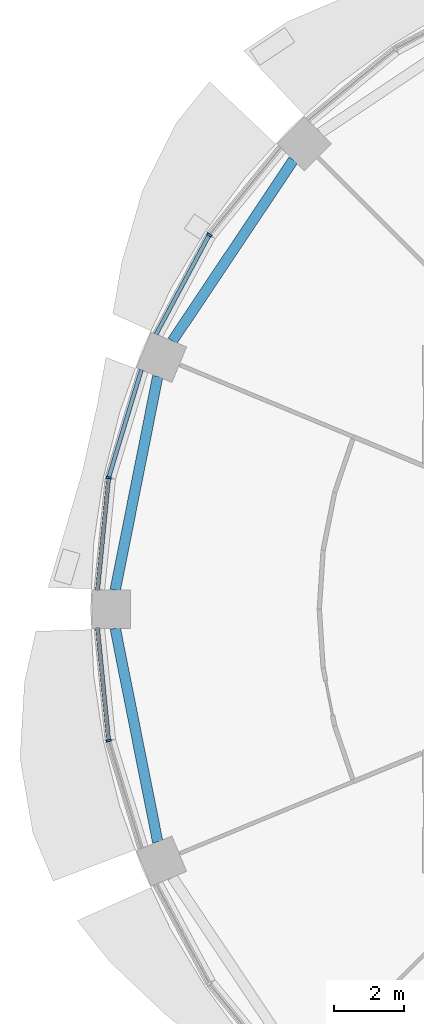
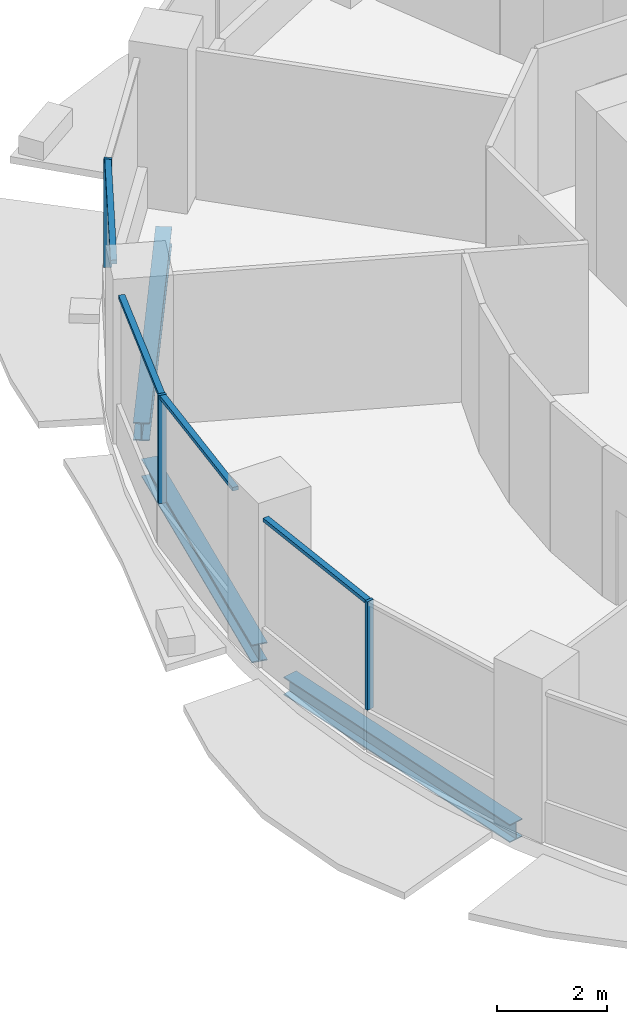
# One storey, part 4 of 15: 7 members, 3 beams, 3 elements without a shape of their own.
"""IFC4 building model written with IfcOpenShell, lengths in metres."""

from ifc_helpers import new_model, si_unit, direction, frame, origin, origin_2d, place, context, subcontext, project, spatial, rectangle, i_section, extrude, material, material_profile, profile_set, type_object, element, aggregate, save


model = new_model("IFC4")

# Units and contexts
model_context = context("Model", 3, precision=1e-05, world=origin(), true_north=direction((0.0, 1.0)))
body_context = subcontext(model_context, "Body", "Model", "MODEL_VIEW")
ifc_project = project(units=[si_unit("LENGTHUNIT", "METRE"), si_unit("AREAUNIT", "SQUARE_METRE"), si_unit("VOLUMEUNIT", "CUBIC_METRE"), si_unit("PLANEANGLEUNIT", "RADIAN"), si_unit("MASSUNIT", "GRAM", prefix="KILO")], contexts=[model_context])

# Site, building, storey
site_placement = place(None, origin())
site = spatial("IfcSite", under=ifc_project, at=site_placement, CompositionType="ELEMENT")
building_placement = place(site_placement, origin())
building = spatial("IfcBuilding", under=site, at=building_placement, Name="Polderwave Tower", CompositionType="ELEMENT")
storey_placement = place(building_placement, frame((0.0, 0.0, 76.39990234375)))
storey = spatial("IfcBuildingStorey", under=building, at=storey_placement, Name="L19", CompositionType="ELEMENT", Elevation=76.39990234375)

# Curtain wall, member
ifc_material_1 = material(Name="Aluminium 6063-T6 and glass", Category="aluminium")
curtain_wall_type = type_object("IfcCurtainWallType", Name="Growing floor ribbon glazing wall", PredefinedType="NOTDEFINED", material=ifc_material_1)
curtain_wall_1_placement = place(storey_placement, origin())
curtain_wall_1 = element("IfcCurtainWall", 1, at=curtain_wall_1_placement, inside=storey, type_object=curtain_wall_type, Name="CW2 L19 06", PredefinedType="NOTDEFINED")
ifc_material_2 = material(Name="Aluminium 6063-T6", Category="aluminium")
ifc_material_profile_1 = material_profile(ifc_material_2, rectangle(XDim=0.14990234375, YDim=0.06005859375, at=origin_2d()), Name="AL 60x150")
ifc_profile_set_1 = profile_set([ifc_material_profile_1], Name="Aluminium 6063-T6")
member_type_1 = type_object("IfcMemberType", Name="Growing floor ribbon glazing mullion 60x150", PredefinedType="MULLION", material=ifc_profile_set_1)
member_1_placement = place(storey_placement, frame((-16.0390625, 10.717041015625, 0.900146484375), z_axis=(0.0, 0.0, 1.0), x_axis=(0.831519061311, -0.555496220219, 0.0)))
member_1 = element("IfcMember", 2, at=member_1_placement, type_object=member_type_1, Name="CW2 mullion 1", PredefinedType="MULLION", context=body_context, shape_type="SweptSolid", body=[
    extrude(rectangle(XDim=0.14990234375, YDim=0.06005859375, at=origin_2d()), origin(), (0.0, 0.0, 1.0), 2.39990234375),
])

curtain_wall_2_placement = place(storey_placement, origin())
curtain_wall_2 = element("IfcCurtainWall", 3, at=curtain_wall_2_placement, inside=storey, type_object=curtain_wall_type, Name="CW2 L19 07", PredefinedType="NOTDEFINED")
member_2_placement = place(storey_placement, frame((-18.9189453125, 3.762939453125, 0.900146484375), z_axis=(0.0, 0.0, 1.0), x_axis=(0.980778810424, -0.19512284598, 0.0)))
member_2 = element("IfcMember", 4, at=member_2_placement, type_object=member_type_1, Name="CW2 mullion 1", PredefinedType="MULLION", context=body_context, shape_type="SweptSolid", body=[
    extrude(rectangle(XDim=0.14990234375, YDim=0.06005859375, at=origin_2d()), origin(), (0.0, 0.0, 1.0), 2.39990234375),
])

curtain_wall_3_placement = place(storey_placement, origin())
curtain_wall_3 = element("IfcCurtainWall", 5, at=curtain_wall_3_placement, inside=storey, type_object=curtain_wall_type, Name="CW2 L19 08", PredefinedType="NOTDEFINED")
member_3_placement = place(storey_placement, frame((-18.9189453125, -3.762939453125, 0.900146484375), z_axis=(0.0, 0.0, 1.0), x_axis=(0.980778810424, 0.19512284598, 0.0)))
member_3 = element("IfcMember", 6, at=member_3_placement, type_object=member_type_1, Name="CW2 mullion 1", PredefinedType="MULLION", context=body_context, shape_type="SweptSolid", body=[
    extrude(rectangle(XDim=0.14990234375, YDim=0.06005859375, at=origin_2d()), origin(), (0.0, 0.0, 1.0), 2.39990234375),
])

# Member
ifc_material_profile_2 = material_profile(ifc_material_2, rectangle(XDim=0.1201171875, YDim=0.080078125, at=origin_2d()), Name="AL 80x120")
ifc_profile_set_2 = profile_set([ifc_material_profile_2], Name="Aluminium 6063-T6")
member_type_2 = type_object("IfcMemberType", Name="Growing floor ribbon glazing transom 80x120", PredefinedType="USERDEFINED", material=ifc_profile_set_2)
member_4_placement = place(storey_placement, frame((-16.052978515625, 10.6904296875, 3.260009765625), z_axis=(-0.471376247819, -0.881932215645, 0.0), x_axis=(0.881932215645, -0.471376247819, 0.0)))
member_4 = element("IfcMember", 7, at=member_4_placement, type_object=member_type_2, Name="CW2 transom 2", ObjectType="TRANSOM", PredefinedType="USERDEFINED", context=body_context, shape_type="SweptSolid", body=[
    extrude(rectangle(XDim=0.1201171875, YDim=0.080078125, at=origin_2d()), origin(), (0.0, 0.0, 1.0), 3.19921875),
])

aggregate(curtain_wall_1, [member_1, member_4])

member_5_placement = place(storey_placement, frame((-17.98193359375, 6.85302734375, 3.260009765625), z_axis=(-0.290238267171, -0.956954412848, 0.0), x_axis=(0.956954412848, -0.290238267171, 0.0)))
member_5 = element("IfcMember", 8, at=member_5_placement, type_object=member_type_2, Name="CW2 transom 1", ObjectType="TRANSOM", PredefinedType="USERDEFINED", context=body_context, shape_type="SweptSolid", body=[
    extrude(rectangle(XDim=0.1201171875, YDim=0.080078125, at=origin_2d()), origin(), (0.0, 0.0, 1.0), 3.198974609375),
])

member_6_placement = place(storey_placement, frame((-18.921875, 3.733154296875, 3.260009765625), z_axis=(-0.098234025198, -0.995163341514, 0.0), x_axis=(0.995163341514, -0.098234025198, 0.0)))
member_6 = element("IfcMember", 9, at=member_6_placement, type_object=member_type_2, Name="CW2 transom 2", ObjectType="TRANSOM", PredefinedType="USERDEFINED", context=body_context, shape_type="SweptSolid", body=[
    extrude(rectangle(XDim=0.1201171875, YDim=0.080078125, at=origin_2d()), origin(), (0.0, 0.0, 1.0), 3.198486328125),
])

aggregate(curtain_wall_2, [member_2, member_5, member_6])

member_7_placement = place(storey_placement, frame((-19.236083984375, -0.550048828125, 3.260009765625), z_axis=(0.098234025198, -0.995163341514, 0.0), x_axis=(0.995163341514, 0.098234025198, 0.0)))
member_7 = element("IfcMember", 10, at=member_7_placement, type_object=member_type_2, Name="CW2 transom 1", ObjectType="TRANSOM", PredefinedType="USERDEFINED", context=body_context, shape_type="SweptSolid", body=[
    extrude(rectangle(XDim=0.1201171875, YDim=0.080078125, at=origin_2d()), origin(), (0.0, 0.0, 1.0), 3.198486328125),
])

aggregate(curtain_wall_3, [member_3, member_7])

# Beams
ifc_material_3 = material(Name="Steel S355", Category="steel")
ifc_material_profile_3 = material_profile(ifc_material_3, i_section(OverallWidth=0.300048828125, OverallDepth=0.39990234375, WebThickness=0.013427734375, FlangeThickness=0.02392578125, at=origin_2d()), Name="HE 400 B")
ifc_profile_set_3 = profile_set([ifc_material_profile_3], Name="Steel S355")
beam_type = type_object("IfcBeamType", Name="RING BEAM HE 400 B", PredefinedType="BEAM", material=ifc_profile_set_3)
beam_placement = place(storey_placement, frame((-13.633544921875, 12.855712890625, -0.5498046875), z_axis=(-0.555541024975, -0.831489127752, 0.0), x_axis=(0.831489127752, -0.555541024975, 0.0)))
element("IfcBeam", 11, at=beam_placement, inside=storey, type_object=beam_type, Name="ST-RB-L19-06", PredefinedType="BEAM", context=body_context, shape_type="SweptSolid", body=[
    extrude(i_section(OverallWidth=0.300048828125, OverallDepth=0.39990234375, WebThickness=0.013427734375, FlangeThickness=0.02392578125, at=origin_2d()), origin(), (0.0, 0.0, 1.0), 6.2294921875),
])
for number, where, z_axis, x_axis, name in (
    (12, (-17.515380859375, 6.65966796875, -0.5498046875), (-0.195098540955, -0.980783645519, 0.0), (0.980783645519, -0.195098540955, 0.0), "ST-RB-L19-07"),
    (13, (-18.730712890625, -0.550048828125, -0.5498046875), (0.195098540955, -0.980783645519, 0.0), (0.980783645519, 0.195098540955, 0.0), "ST-RB-L19-08"),
):
    element("IfcBeam", number, at=place(storey_placement, frame(where, z_axis=z_axis, x_axis=x_axis)), inside=storey, type_object=beam_type, Name=name, PredefinedType="BEAM", context=body_context, shape_type="SweptSolid", body=[
        extrude(i_section(OverallWidth=0.300048828125, OverallDepth=0.39990234375, WebThickness=0.013427734375, FlangeThickness=0.02392578125, at=origin_2d()), origin(), (0.0, 0.0, 1.0), 6.229248046875),
    ])

save(model, "model.ifc")
